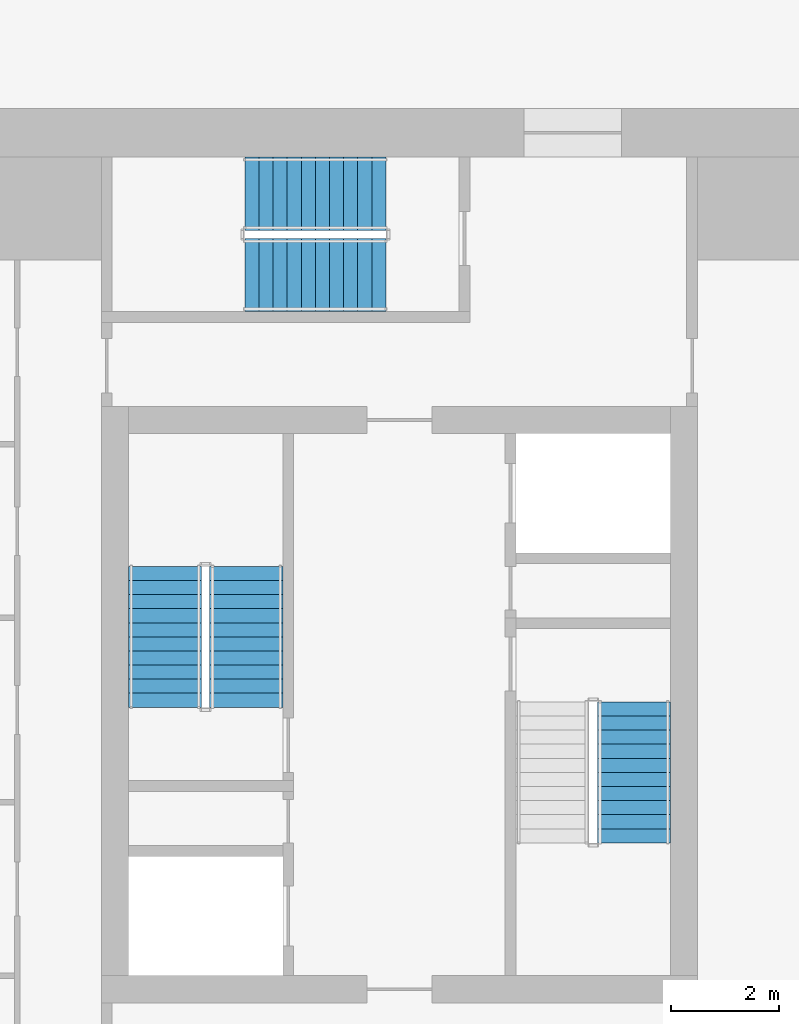
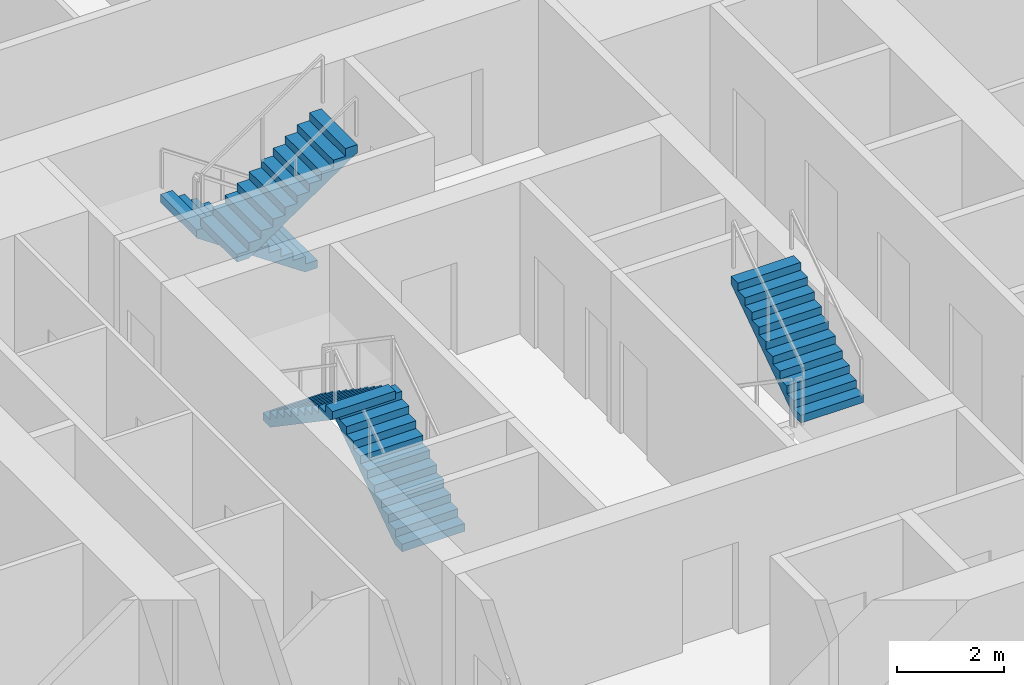
# One storey, part 10 of 16: 5 stair flights, 3 elements without a shape of their own.
"""IFC4 building model written with IfcOpenShell, lengths in metres."""

from ifc_helpers import new_model, si_unit, direction, frame, origin, place, context, subcontext, project, spatial, polyline, outline, extrude, material, type_object, element, aggregate, save


model = new_model("IFC4")

# Units and contexts
model_context = context("Model", 3, precision=1e-05, world=origin(), true_north=direction((0.0, 1.0)))
body_context = subcontext(model_context, "Body", "Model", "MODEL_VIEW")
ifc_project = project(units=[si_unit("LENGTHUNIT", "METRE"), si_unit("AREAUNIT", "SQUARE_METRE"), si_unit("VOLUMEUNIT", "CUBIC_METRE"), si_unit("PLANEANGLEUNIT", "RADIAN"), si_unit("MASSUNIT", "GRAM", prefix="KILO")], contexts=[model_context])

# Site, building, storey
site_placement = place(None, origin())
site = spatial("IfcSite", under=ifc_project, at=site_placement, CompositionType="ELEMENT")
building_placement = place(site_placement, origin())
building = spatial("IfcBuilding", under=site, at=building_placement, Name="Khepri Terraces", CompositionType="ELEMENT")
storey_placement = place(building_placement, frame((0.0, 0.0, 172.800048828125)))
storey = spatial("IfcBuildingStorey", under=building, at=storey_placement, Name="L41", CompositionType="ELEMENT", Elevation=172.800048828125)

# Stair, stair flights
ifc_material = material(Name="Concrete C40/50", Category="concrete")
stair_type = type_object("IfcStairType", Name="STAIR-RC-22R", PredefinedType="HALF_TURN_STAIR", material=ifc_material)
stair_1_placement = place(storey_placement, origin())
stair_1 = element("IfcStair", 1, at=stair_1_placement, inside=storey, type_object=stair_type, Name="L41 Exit Stair ST-1", PredefinedType="HALF_TURN_STAIR")
stair_flight_type = type_object("IfcStairFlightType", Name="SFL-RC-177.3", PredefinedType="STRAIGHT", material=ifc_material)
stair_flight_1_placement = place(storey_placement, frame((-2.824951171875, -0.050048828125, 0.0), z_axis=(0.0, 0.0, 1.0), x_axis=(0.0, 1.0, 0.0)))
stair_flight_1 = element("IfcStairFlight", 2, at=stair_flight_1_placement, type_object=stair_flight_type, Name="ST-1 flight 1", NumberOfRisers=11, NumberOfTreads=10, PredefinedType="STRAIGHT", RiserHeight=0.177272727, TreadLength=0.26, context=body_context, shape_type="SweptSolid", body=[
    extrude(outline(polyline([(0.0, 0.0), (0.0, 0.17724609375), (0.260009765625, 0.17724609375), (0.260009765625, 0.3544921875), (0.52001953125, 0.3544921875), (0.52001953125, 0.53173828125), (0.780029296875, 0.53173828125), (0.780029296875, 0.708984375), (1.0400390625, 0.708984375), (1.0400390625, 0.886474609375), (1.300048828125, 0.886474609375), (1.300048828125, 1.063720703125), (1.56005859375, 1.063720703125), (1.56005859375, 1.240966796875), (1.820068359375, 1.240966796875), (1.820068359375, 1.418212890625), (2.080078125, 1.418212890625), (2.080078125, 1.595458984375), (2.340087890625, 1.595458984375), (2.340087890625, 1.772705078125), (2.60009765625, 1.772705078125), (2.60009765625, 1.949951171875), (2.60009765625, 1.59130859375), (0.26611328125, 0.0), (0.0, 0.0)])), frame((0.0, 0.675048828125, 0.0), z_axis=(0.0, -1.0, 0.0), x_axis=(1.0, 0.0, 0.0)), (0.0, 0.0, 1.0), 1.35009765625),
])
stair_flight_2_placement = place(storey_placement, frame((-4.324951171875, 2.550048828125, 1.949951171875), z_axis=(0.0, 0.0, 1.0), x_axis=(0.0, -1.0, 0.0)))
stair_flight_2 = element("IfcStairFlight", 3, at=stair_flight_2_placement, type_object=stair_flight_type, Name="ST-1 flight 2", NumberOfRisers=11, NumberOfTreads=10, PredefinedType="STRAIGHT", RiserHeight=0.177272727, TreadLength=0.26, context=body_context, shape_type="SweptSolid", body=[
    extrude(outline(polyline([(0.0, 0.0), (0.0, 0.17724609375), (0.260009765625, 0.17724609375), (0.260009765625, 0.3544921875), (0.52001953125, 0.3544921875), (0.52001953125, 0.53173828125), (0.780029296875, 0.53173828125), (0.780029296875, 0.708984375), (1.0400390625, 0.708984375), (1.0400390625, 0.886474609375), (1.300048828125, 0.886474609375), (1.300048828125, 1.063720703125), (1.56005859375, 1.063720703125), (1.56005859375, 1.240966796875), (1.820068359375, 1.240966796875), (1.820068359375, 1.418212890625), (2.080078125, 1.418212890625), (2.080078125, 1.595458984375), (2.340087890625, 1.595458984375), (2.340087890625, 1.772705078125), (2.60009765625, 1.772705078125), (2.60009765625, 1.949951171875), (2.60009765625, 1.59130859375), (0.26611328125, 0.0), (0.0, 0.0)])), frame((0.0, 0.675048828125, 0.0), z_axis=(0.0, -1.0, 0.0), x_axis=(1.0, 0.0, 0.0)), (0.0, 0.0, 1.0), 1.35009765625),
])
aggregate(stair_1, [stair_flight_1, stair_flight_2])

# Stair, stair flight
stair_2_placement = place(storey_placement, origin())
stair_2 = element("IfcStair", 4, at=stair_2_placement, inside=storey, type_object=stair_type, Name="L41 Exit Stair ST-2", PredefinedType="HALF_TURN_STAIR")
stair_flight_3_placement = place(storey_placement, frame((4.324951171875, -2.550048828125, 1.949951171875), z_axis=(0.0, 0.0, 1.0), x_axis=(0.0, 1.0, 0.0)))
stair_flight_3 = element("IfcStairFlight", 5, at=stair_flight_3_placement, type_object=stair_flight_type, Name="ST-2 flight 2", NumberOfRisers=11, NumberOfTreads=10, PredefinedType="STRAIGHT", RiserHeight=0.177272727, TreadLength=0.26, context=body_context, shape_type="SweptSolid", body=[
    extrude(outline(polyline([(0.0, 0.0), (0.0, 0.17724609375), (0.260009765625, 0.17724609375), (0.260009765625, 0.3544921875), (0.52001953125, 0.3544921875), (0.52001953125, 0.53173828125), (0.780029296875, 0.53173828125), (0.780029296875, 0.708984375), (1.0400390625, 0.708984375), (1.0400390625, 0.886474609375), (1.300048828125, 0.886474609375), (1.300048828125, 1.063720703125), (1.56005859375, 1.063720703125), (1.56005859375, 1.240966796875), (1.820068359375, 1.240966796875), (1.820068359375, 1.418212890625), (2.080078125, 1.418212890625), (2.080078125, 1.595458984375), (2.340087890625, 1.595458984375), (2.340087890625, 1.772705078125), (2.60009765625, 1.772705078125), (2.60009765625, 1.949951171875), (2.60009765625, 1.59130859375), (0.26611328125, 0.0), (0.0, 0.0)])), frame((0.0, 0.675048828125, 0.0), z_axis=(0.0, -1.0, 0.0), x_axis=(1.0, 0.0, 0.0)), (0.0, 0.0, 1.0), 1.35009765625),
])
aggregate(stair_2, [stair_flight_3])

# Stair, stair flights
stair_3_placement = place(storey_placement, origin())
stair_3 = element("IfcStair", 6, at=stair_3_placement, inside=storey, type_object=stair_type, Name="L41 Exit Stair ST-3", PredefinedType="HALF_TURN_STAIR")
stair_flight_4_placement = place(storey_placement, frame((-0.25, 9.425048828125, 0.0), z_axis=(0.0, 0.0, 1.0), x_axis=(-1.0, 0.0, 0.0)))
stair_flight_4 = element("IfcStairFlight", 7, at=stair_flight_4_placement, type_object=stair_flight_type, Name="ST-3 flight 1", NumberOfRisers=11, NumberOfTreads=10, PredefinedType="STRAIGHT", RiserHeight=0.177272727, TreadLength=0.26, context=body_context, shape_type="SweptSolid", body=[
    extrude(outline(polyline([(0.0, 0.0), (0.0, 0.17724609375), (0.260009765625, 0.17724609375), (0.260009765625, 0.3544921875), (0.52001953125, 0.3544921875), (0.52001953125, 0.53173828125), (0.780029296875, 0.53173828125), (0.780029296875, 0.708984375), (1.0400390625, 0.708984375), (1.0400390625, 0.886474609375), (1.300048828125, 0.886474609375), (1.300048828125, 1.063720703125), (1.56005859375, 1.063720703125), (1.56005859375, 1.240966796875), (1.820068359375, 1.240966796875), (1.820068359375, 1.418212890625), (2.080078125, 1.418212890625), (2.080078125, 1.595458984375), (2.340087890625, 1.595458984375), (2.340087890625, 1.772705078125), (2.60009765625, 1.772705078125), (2.60009765625, 1.949951171875), (2.60009765625, 1.59130859375), (0.26611328125, 0.0), (0.0, 0.0)])), frame((0.0, 0.675048828125, 0.0), z_axis=(0.0, -1.0, 0.0), x_axis=(1.0, 0.0, 0.0)), (0.0, 0.0, 1.0), 1.35009765625),
])
stair_flight_5_placement = place(storey_placement, frame((-2.85009765625, 7.925048828125, 1.949951171875), z_axis=(0.0, 0.0, 1.0), x_axis=(1.0, 0.0, 0.0)))
stair_flight_5 = element("IfcStairFlight", 8, at=stair_flight_5_placement, type_object=stair_flight_type, Name="ST-3 flight 2", NumberOfRisers=11, NumberOfTreads=10, PredefinedType="STRAIGHT", RiserHeight=0.177272727, TreadLength=0.26, context=body_context, shape_type="SweptSolid", body=[
    extrude(outline(polyline([(0.0, 0.0), (0.0, 0.17724609375), (0.260009765625, 0.17724609375), (0.260009765625, 0.3544921875), (0.52001953125, 0.3544921875), (0.52001953125, 0.53173828125), (0.780029296875, 0.53173828125), (0.780029296875, 0.708984375), (1.0400390625, 0.708984375), (1.0400390625, 0.886474609375), (1.300048828125, 0.886474609375), (1.300048828125, 1.063720703125), (1.56005859375, 1.063720703125), (1.56005859375, 1.240966796875), (1.820068359375, 1.240966796875), (1.820068359375, 1.418212890625), (2.080078125, 1.418212890625), (2.080078125, 1.595458984375), (2.340087890625, 1.595458984375), (2.340087890625, 1.772705078125), (2.60009765625, 1.772705078125), (2.60009765625, 1.949951171875), (2.60009765625, 1.59130859375), (0.26611328125, 0.0), (0.0, 0.0)])), frame((0.0, 0.675048828125, 0.0), z_axis=(0.0, -1.0, 0.0), x_axis=(1.0, 0.0, 0.0)), (0.0, 0.0, 1.0), 1.35009765625),
])
aggregate(stair_3, [stair_flight_4, stair_flight_5])

save(model, "model.ifc")
